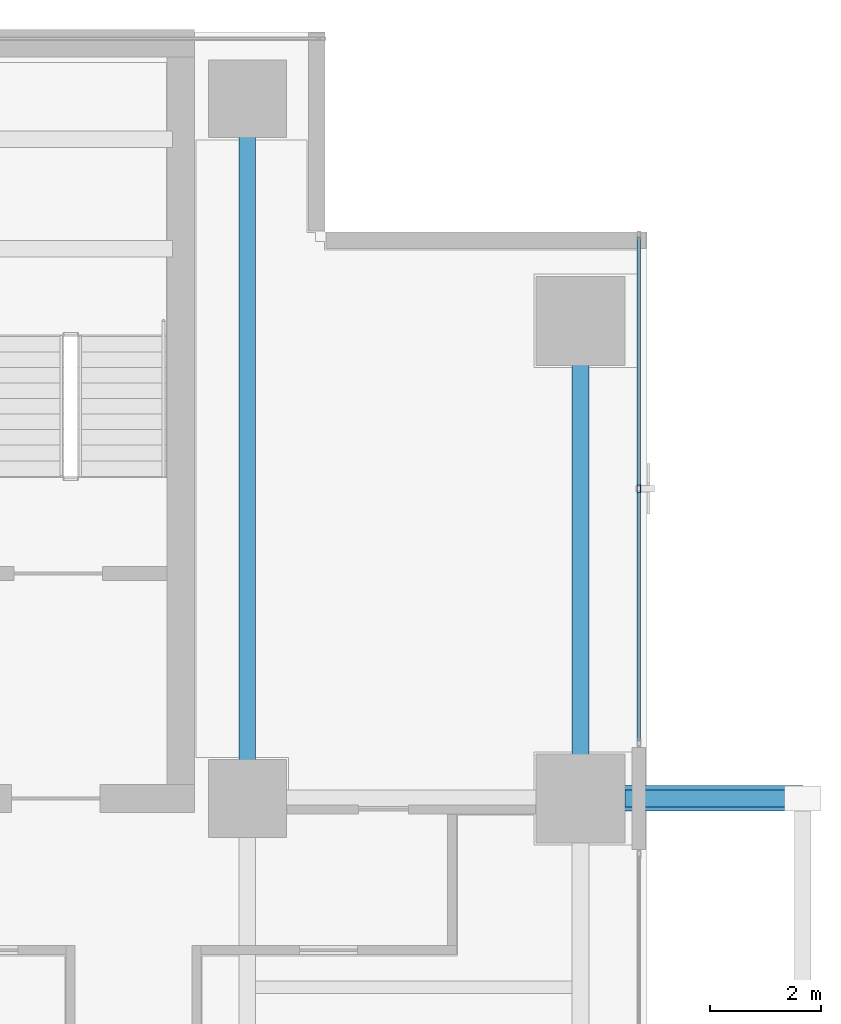
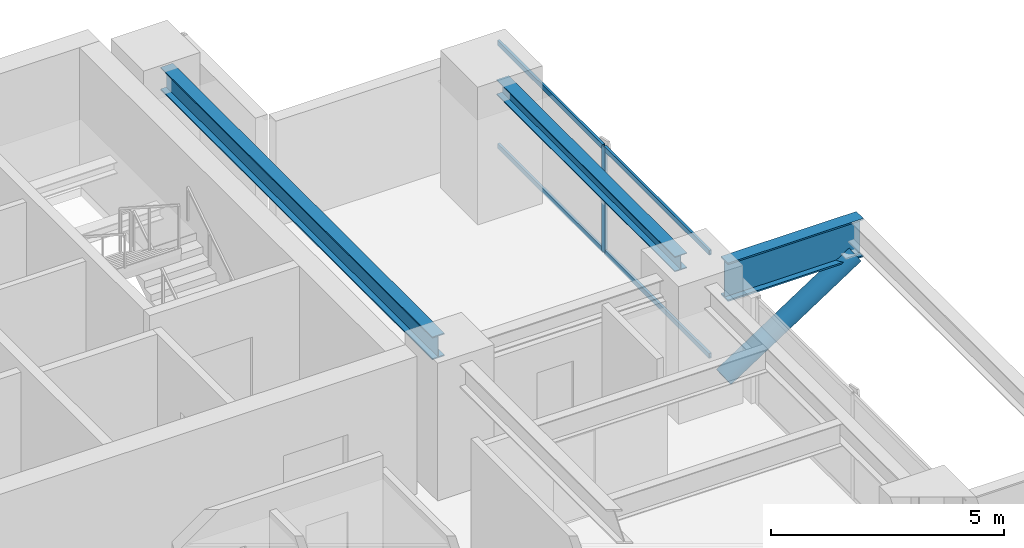
# One storey, part 19 of 31: 6 members, 3 beams, 1 element without a shape of its own.
"""IFC4 building model written with IfcOpenShell, lengths in metres."""

from ifc_helpers import new_model, si_unit, direction, frame, origin, origin_2d, place, context, subcontext, project, spatial, hollow_rectangle, hollow_circle, i_section, extrude, source, transform, mapped, material, layer, layer_set, material_profile, profile_set, type_object, element, aggregate, save


model = new_model("IFC4")

# Units and contexts
model_context = context("Model", 3, precision=1e-05, world=origin(), true_north=direction((0.0, 1.0)))
body_context = subcontext(model_context, "Body", "Model", "MODEL_VIEW")
ifc_project = project(units=[si_unit("LENGTHUNIT", "METRE"), si_unit("AREAUNIT", "SQUARE_METRE"), si_unit("VOLUMEUNIT", "CUBIC_METRE"), si_unit("PLANEANGLEUNIT", "RADIAN"), si_unit("MASSUNIT", "GRAM", prefix="KILO")], contexts=[model_context])

# Site, building, storey
site_placement = place(None, origin())
site = spatial("IfcSite", under=ifc_project, at=site_placement, CompositionType="ELEMENT")
building_placement = place(site_placement, origin())
building = spatial("IfcBuilding", under=site, at=building_placement, Name="Sumidabori Civic Tower", CompositionType="ELEMENT")
storey_placement = place(building_placement, frame((0.0, 0.0, 221.60009765625)))
storey = spatial("IfcBuildingStorey", under=building, at=storey_placement, Name="L57", CompositionType="ELEMENT", Elevation=221.60009765625)

# Beams
ifc_material_1 = material(Name="Steel SN490", Category="steel")
ifc_material_profile_1 = material_profile(ifc_material_1, i_section(OverallWidth=0.300048828125, OverallDepth=0.39990234375, WebThickness=0.013427734375, FlangeThickness=0.02392578125, at=origin_2d()), Name="HE 400 B")
ifc_profile_set_1 = profile_set([ifc_material_profile_1], Name="Steel SN490")
beam_type_1 = type_object("IfcBeamType", Name="BM-GIRD-400", PredefinedType="BEAM", material=ifc_profile_set_1)
shared_shape_1 = source(origin(), body_context, "Body", "SweptSolid", [
    extrude(i_section(OverallWidth=0.300048828125, OverallDepth=0.39990234375, WebThickness=0.013427734375, FlangeThickness=0.02392578125, at=origin_2d()), origin(), (0.0, 0.0, 1.0), 7.64013671875),
])
beam_1_placement = place(storey_placement, frame((22.800048828125, 10.679931640625, 3.179931640625), z_axis=(0.0, 1.0, 0.0), x_axis=(-1.0, 0.0, 0.0)))
element("IfcBeam", 1, at=beam_1_placement, inside=storey, type_object=beam_type_1, Name="Primary Girder L57 GY-24", PredefinedType="BEAM", context=body_context, shape_type="MappedRepresentation", body=[
    mapped(shared_shape_1, transform((0.0, 0.0, 0.0), x_axis=(1.0, 0.0, 0.0), y_axis=(0.0, 1.0, 0.0), z_axis=(0.0, 0.0, 1.0), scale=1.0)),
])
ifc_material_profile_2 = material_profile(ifc_material_1, i_section(OverallWidth=0.300048828125, OverallDepth=0.60009765625, WebThickness=0.015380859375, FlangeThickness=0.030029296875, at=origin_2d()), Name="HE 600 B")
ifc_profile_set_2 = profile_set([ifc_material_profile_2], Name="Steel SN490")
beam_type_2 = type_object("IfcBeamType", Name="BM-GIRD-600", PredefinedType="BEAM", material=ifc_profile_set_2)
shared_shape_2 = source(origin(), body_context, "Body", "SweptSolid", [
    extrude(i_section(OverallWidth=0.300048828125, OverallDepth=0.60009765625, WebThickness=0.015380859375, FlangeThickness=0.030029296875, at=origin_2d()), origin(), (0.0, 0.0, 1.0), 11.64013671875),
])
beam_2_placement = place(storey_placement, frame((16.800048828125, 10.679931640625, 3.079833984375), z_axis=(0.0, 1.0, 0.0), x_axis=(-1.0, 0.0, 0.0)))
element("IfcBeam", 2, at=beam_2_placement, inside=storey, type_object=beam_type_2, Name="Primary Girder L57 GY-21", PredefinedType="BEAM", context=body_context, shape_type="MappedRepresentation", body=[
    mapped(shared_shape_2, transform((0.0, 0.0, 0.0), x_axis=(1.0, 0.0, 0.0), y_axis=(0.0, 1.0, 0.0), z_axis=(0.0, 0.0, 1.0), scale=1.0)),
])
ifc_material_profile_3 = material_profile(ifc_material_1, i_section(OverallWidth=0.302001953125, OverallDepth=1.008056640625, WebThickness=0.02099609375, FlangeThickness=0.0400390625, at=origin_2d()), Name="HE 1000 M")
ifc_profile_set_3 = profile_set([ifc_material_profile_3], Name="Steel SN490")
beam_type_3 = type_object("IfcBeamType", Name="BM-POOL-CANT", PredefinedType="BEAM", material=ifc_profile_set_3)
shared_shape_3 = source(origin(), body_context, "Body", "SweptSolid", [
    extrude(i_section(OverallWidth=0.302001953125, OverallDepth=1.008056640625, WebThickness=0.02099609375, FlangeThickness=0.0400390625, at=origin_2d()), origin(), (0.0, 0.0, 1.0), 3.349853515625),
])
beam_3_placement = place(storey_placement, frame((23.60009765625, 10.199951171875, 2.755859375), z_axis=(1.0, 0.0, 0.0), x_axis=(0.0, 1.0, 0.0)))
element("IfcBeam", 3, at=beam_3_placement, inside=storey, type_object=beam_type_3, Name="Sky Pool Cantilever Girder BP-1-3", PredefinedType="BEAM", context=body_context, shape_type="MappedRepresentation", body=[
    mapped(shared_shape_3, transform((0.0, 0.0, 0.0), x_axis=(1.0, 0.0, 0.0), y_axis=(0.0, 1.0, 0.0), z_axis=(0.0, 0.0, 1.0), scale=1.0)),
])

# Member
ifc_material_profile_4 = material_profile(ifc_material_1, hollow_circle(Radius=0.228515625, WallThickness=0.02490234375, at=origin_2d()), Name="CHS 457x25")
ifc_profile_set_4 = profile_set([ifc_material_profile_4], Name="Steel SN490")
member_type_1 = type_object("IfcMemberType", Name="MB-POOL-STRUT", PredefinedType="STRUT", material=ifc_profile_set_4)
shared_shape_4 = source(origin(), body_context, "Body", "SweptSolid", [
    extrude(hollow_circle(Radius=0.228515625, WallThickness=0.02490234375, at=origin_2d()), origin(), (0.0, 0.0, 1.0), 3.847412109375),
])
member_1_placement = place(storey_placement, frame((23.580078125, 10.199951171875, 0.199951171875), z_axis=(0.836899182598, 0.0, 0.547357066426), x_axis=(0.0, 1.0, 0.0)))
element("IfcMember", 4, at=member_1_placement, inside=storey, type_object=member_type_1, Name="Sky Pool Raking Steel Strut MS-1-3", PredefinedType="STRUT", context=body_context, shape_type="MappedRepresentation", body=[
    mapped(shared_shape_4, transform((0.0, 0.0, 0.0), x_axis=(1.0, 0.0, 0.0), y_axis=(0.0, 1.0, 0.0), z_axis=(0.0, 0.0, 1.0), scale=1.0)),
])

# Curtain wall, members
ifc_material_2 = material(Name="Anodised Bronze Aluminium AW-6063-T6", Category="aluminium")
ifc_layer = layer(ifc_material_2, 0.179931640625, Name="Anodised Bronze Aluminium AW-6063-T6")
ifc_layer_set = layer_set([ifc_layer], Name="Anodised Bronze Aluminium AW-6063-T6")
curtain_wall_type = type_object("IfcCurtainWallType", Name="CW-SYS-5", PredefinedType="NOTDEFINED", material=ifc_layer_set)
curtain_wall_placement = place(storey_placement, origin())
curtain_wall = element("IfcCurtainWall", 5, at=curtain_wall_placement, inside=storey, type_object=curtain_wall_type, Name="Curtain Wall CW:L57:R16", PredefinedType="NOTDEFINED")
ifc_material_profile_5 = material_profile(ifc_material_2, hollow_rectangle(XDim=0.06005859375, YDim=0.139892578125, WallThickness=0.0048828125, at=origin_2d()), Name="ALU MULLION 140x60")
ifc_profile_set_5 = profile_set([ifc_material_profile_5], Name="Anodised Bronze Aluminium AW-6063-T6")
member_type_2 = type_object("IfcMemberType", Name="CW-MUL-140", PredefinedType="MULLION", material=ifc_profile_set_5)
shared_shape_5 = source(origin(), body_context, "Body", "SweptSolid", [
    extrude(hollow_rectangle(XDim=0.06005859375, YDim=0.139892578125, WallThickness=0.0048828125, at=origin_2d()), origin(), (0.0, 0.0, 1.0), 2.760009765625),
])
member_2_placement = place(storey_placement, frame((23.85009765625, 15.77490234375, 0.0), z_axis=(0.0, 0.0, 1.0), x_axis=(-1.0, 0.0, 0.0)))
member_2 = element("IfcMember", 6, at=member_2_placement, type_object=member_type_2, Name="CW-5 mullion 2", PredefinedType="MULLION", context=body_context, shape_type="MappedRepresentation", body=[
    mapped(shared_shape_5, transform((0.0, 0.0, 0.0), x_axis=(1.0, 0.0, 0.0), y_axis=(0.0, 1.0, 0.0), z_axis=(0.0, 0.0, 1.0), scale=1.0)),
])
ifc_material_profile_6 = material_profile(ifc_material_2, hollow_rectangle(XDim=0.06005859375, YDim=0.1298828125, WallThickness=0.0048828125, at=origin_2d()), Name="ALU TRANSOM 130x60")
ifc_profile_set_6 = profile_set([ifc_material_profile_6], Name="Anodised Bronze Aluminium AW-6063-T6")
member_type_3 = type_object("IfcMemberType", Name="CW-TRN-130", PredefinedType="USERDEFINED", material=ifc_profile_set_6)
shared_shape_6 = source(origin(), body_context, "Body", "SweptSolid", [
    extrude(hollow_rectangle(XDim=0.06005859375, YDim=0.1298828125, WallThickness=0.0048828125, at=origin_2d()), origin(), (0.0, 0.0, 1.0), 4.505126953125),
])
member_3_placement = place(storey_placement, frame((23.85009765625, 11.239990234375, 0.02978515625), z_axis=(0.0, 1.0, 0.0), x_axis=(-1.0, 0.0, 0.0)))
member_3 = element("IfcMember", 7, at=member_3_placement, type_object=member_type_3, Name="CW-5 transom 1.1", ObjectType="TRANSOM", PredefinedType="USERDEFINED", context=body_context, shape_type="MappedRepresentation", body=[
    mapped(shared_shape_6, transform((0.0, 0.0, 0.0), x_axis=(1.0, 0.0, 0.0), y_axis=(0.0, 1.0, 0.0), z_axis=(0.0, 0.0, 1.0), scale=1.0)),
])
member_4_placement = place(storey_placement, frame((23.85009765625, 11.239990234375, 2.72998046875), z_axis=(0.0, 1.0, 0.0), x_axis=(-1.0, 0.0, 0.0)))
member_4 = element("IfcMember", 8, at=member_4_placement, type_object=member_type_3, Name="CW-5 transom 1.2", ObjectType="TRANSOM", PredefinedType="USERDEFINED", context=body_context, shape_type="MappedRepresentation", body=[
    mapped(shared_shape_6, transform((0.0, 0.0, 0.0), x_axis=(1.0, 0.0, 0.0), y_axis=(0.0, 1.0, 0.0), z_axis=(0.0, 0.0, 1.0), scale=1.0)),
])
member_5_placement = place(storey_placement, frame((23.85009765625, 15.804931640625, 0.02978515625), z_axis=(0.0, 1.0, 0.0), x_axis=(-1.0, 0.0, 0.0)))
member_5 = element("IfcMember", 9, at=member_5_placement, type_object=member_type_3, Name="CW-5 transom 2.1", ObjectType="TRANSOM", PredefinedType="USERDEFINED", context=body_context, shape_type="MappedRepresentation", body=[
    mapped(shared_shape_6, transform((0.0, 0.0, 0.0), x_axis=(1.0, 0.0, 0.0), y_axis=(0.0, 1.0, 0.0), z_axis=(0.0, 0.0, 1.0), scale=1.0)),
])
member_6_placement = place(storey_placement, frame((23.85009765625, 15.804931640625, 2.72998046875), z_axis=(0.0, 1.0, 0.0), x_axis=(-1.0, 0.0, 0.0)))
member_6 = element("IfcMember", 10, at=member_6_placement, type_object=member_type_3, Name="CW-5 transom 2.2", ObjectType="TRANSOM", PredefinedType="USERDEFINED", context=body_context, shape_type="MappedRepresentation", body=[
    mapped(shared_shape_6, transform((0.0, 0.0, 0.0), x_axis=(1.0, 0.0, 0.0), y_axis=(0.0, 1.0, 0.0), z_axis=(0.0, 0.0, 1.0), scale=1.0)),
])
aggregate(curtain_wall, [member_2, member_3, member_4, member_5, member_6])

save(model, "model.ifc")
